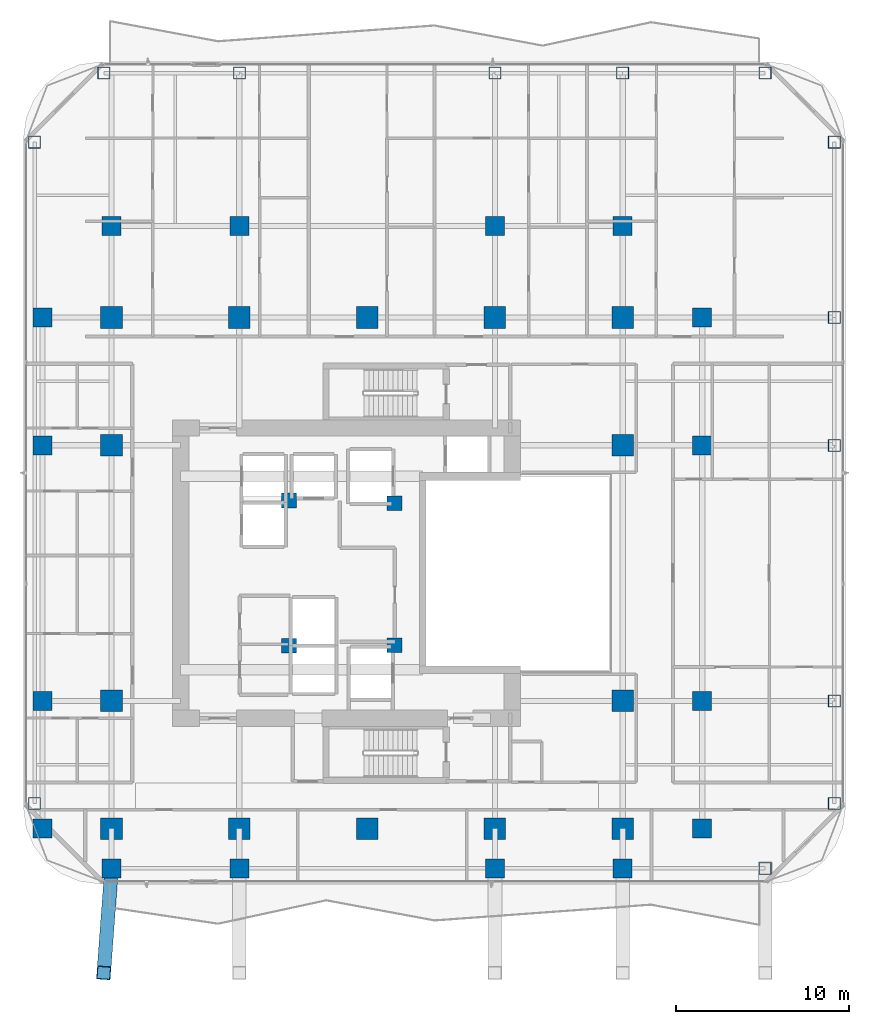
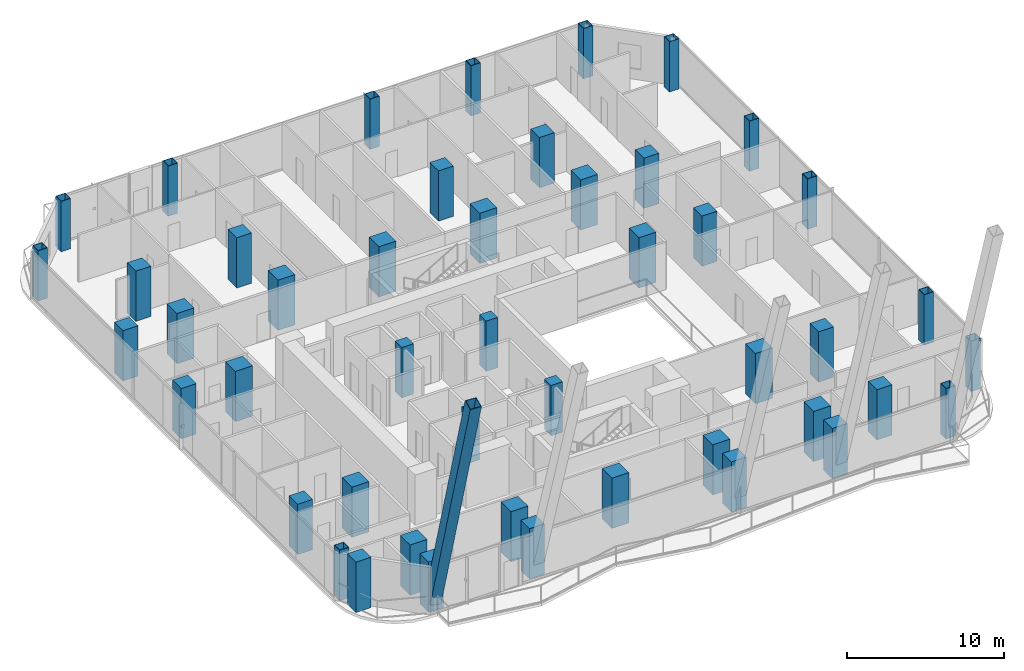
# One storey, part 1 of 30: 47 columns, 1 member.
"""IFC4 building model written with IfcOpenShell, lengths in metres."""

from ifc_helpers import new_model, si_unit, direction, frame, origin, origin_2d, place, context, subcontext, project, spatial, rectangle, hollow_rectangle, extrude, material, material_profile, profile_set, type_object, element, save


model = new_model("IFC4")

# Units and contexts
model_context = context("Model", 3, precision=1e-05, world=origin(), true_north=direction((0.0, 1.0)))
body_context = subcontext(model_context, "Body", "Model", "MODEL_VIEW")
ifc_project = project(units=[si_unit("LENGTHUNIT", "METRE"), si_unit("AREAUNIT", "SQUARE_METRE"), si_unit("VOLUMEUNIT", "CUBIC_METRE"), si_unit("PLANEANGLEUNIT", "RADIAN"), si_unit("MASSUNIT", "GRAM", prefix="KILO")], contexts=[model_context])

# Site, building, storey
site_placement = place(None, origin())
site = spatial("IfcSite", under=ifc_project, at=site_placement, CompositionType="ELEMENT")
building_placement = place(site_placement, origin())
building = spatial("IfcBuilding", under=site, at=building_placement, Name="Khorvyn Point Tower", CompositionType="ELEMENT")
storey_placement = place(building_placement, frame((0.0, 0.0, 117.300048828125)))
storey = spatial("IfcBuildingStorey", under=building, at=storey_placement, Name="L29", CompositionType="ELEMENT", Elevation=117.300048828125)

# Columns
ifc_material_1 = material(Name="Concrete C40/50", Category="concrete")
ifc_material_profile_1 = material_profile(ifc_material_1, rectangle(XDim=0.85009765625, YDim=0.85009765625, at=origin_2d()))
ifc_profile_set_1 = profile_set([ifc_material_profile_1], Name="Concrete C40/50 RC850x850")
column_type_1 = type_object("IfcColumnType", Name="Concrete C40/50 Column RC850x850", PredefinedType="COLUMN", material=ifc_profile_set_1)
for number, where, z_axis, x_axis, name in (
    (1, (-4.52001953125, -4.199951171875, 0.0), (0.0, 0.0, 1.0), (1.0, 0.0, 0.0), "L29 Crown Core Spine Column 1"),
    (2, (1.580078125, -4.179931640625, 0.0), (0.0, 0.0, 1.0), (1.0, 0.0, 0.0), "L29 Crown Core Spine Column 2"),
    (3, (1.580078125, 4.050048828125, 0.0), (0.0, 0.0, 1.0), (1.0, 0.0, 0.0), "L29 Crown Core Spine Column 3"),
    (4, (-4.52001953125, 4.199951171875, 0.0), (0.0, 0.0, 1.0), (1.0, 0.0, 0.0), "L29 Crown Core Spine Column 4"),
):
    element("IfcColumn", number, at=place(storey_placement, frame(where, z_axis=z_axis, x_axis=x_axis)), inside=storey, type_object=column_type_1, Name=name, PredefinedType="COLUMN", context=body_context, shape_type="SweptSolid", body=[
        extrude(rectangle(XDim=0.85009765625, YDim=0.85009765625, at=origin_2d()), origin(), (0.0, 0.0, 1.0), 3.89990234375),
    ])
ifc_material_2 = material(Name="Concrete C45/55", Category="concrete")
ifc_material_profile_2 = material_profile(ifc_material_2, rectangle(XDim=1.10009765625, YDim=1.10009765625, at=origin_2d()))
ifc_profile_set_2 = profile_set([ifc_material_profile_2], Name="Concrete C45/55 RC1100x1100")
column_type_2 = type_object("IfcColumnType", Name="Concrete C45/55 Column RC1100x1100", PredefinedType="COLUMN", material=ifc_profile_set_2)
for number, where, z_axis, x_axis, name in (
    (5, (-18.800048828125, -14.800048828125, 0.0), (0.0, 0.0, 1.0), (1.0, 0.0, 0.0), "L29 Intermediate Column ICW--14"),
    (6, (-18.800048828125, -7.39990234375, 0.0), (0.0, 0.0, 1.0), (1.0, 0.0, 0.0), "L29 Intermediate Column ICW--7"),
    (7, (-18.800048828125, 7.39990234375, 0.0), (0.0, 0.0, 1.0), (1.0, 0.0, 0.0), "L29 Intermediate Column ICW-7"),
    (8, (-18.800048828125, 14.800048828125, 0.0), (0.0, 0.0, 1.0), (1.0, 0.0, 0.0), "L29 Intermediate Column ICW-14"),
    (9, (19.39990234375, -14.800048828125, 0.0), (0.0, 0.0, 1.0), (1.0, 0.0, 0.0), "L29 Intermediate Column ICE--14"),
    (10, (19.39990234375, -7.39990234375, 0.0), (0.0, 0.0, 1.0), (1.0, 0.0, 0.0), "L29 Intermediate Column ICE--7"),
    (11, (19.39990234375, 7.39990234375, 0.0), (0.0, 0.0, 1.0), (1.0, 0.0, 0.0), "L29 Intermediate Column ICE-7"),
    (12, (19.39990234375, 14.800048828125, 0.0), (0.0, 0.0, 1.0), (1.0, 0.0, 0.0), "L29 Intermediate Column ICE-14"),
    (13, (-14.800048828125, -17.10009765625, 0.0), (0.0, 0.0, 1.0), (1.0, 0.0, 0.0), "L29 Intermediate Column ICS--14"),
    (14, (-7.39990234375, -17.10009765625, 0.0), (0.0, 0.0, 1.0), (1.0, 0.0, 0.0), "L29 Intermediate Column ICS--7"),
    (15, (7.39990234375, -17.10009765625, 0.0), (0.0, 0.0, 1.0), (1.0, 0.0, 0.0), "L29 Intermediate Column ICS-7"),
    (16, (14.800048828125, -17.10009765625, 0.0), (0.0, 0.0, 1.0), (1.0, 0.0, 0.0), "L29 Intermediate Column ICS-14"),
    (17, (-14.800048828125, 20.10009765625, 0.0), (0.0, 0.0, 1.0), (1.0, 0.0, 0.0), "L29 Intermediate Column ICN--14"),
    (18, (-7.39990234375, 20.10009765625, 0.0), (0.0, 0.0, 1.0), (1.0, 0.0, 0.0), "L29 Intermediate Column ICN--7"),
    (19, (7.39990234375, 20.10009765625, 0.0), (0.0, 0.0, 1.0), (1.0, 0.0, 0.0), "L29 Intermediate Column ICN-7"),
    (20, (14.800048828125, 20.10009765625, 0.0), (0.0, 0.0, 1.0), (1.0, 0.0, 0.0), "L29 Intermediate Column ICN-14"),
):
    element("IfcColumn", number, at=place(storey_placement, frame(where, z_axis=z_axis, x_axis=x_axis)), inside=storey, type_object=column_type_2, Name=name, PredefinedType="COLUMN", context=body_context, shape_type="SweptSolid", body=[
        extrude(rectangle(XDim=1.10009765625, YDim=1.10009765625, at=origin_2d()), origin(), (0.0, 0.0, 1.0), 3.89990234375),
    ])
ifc_material_3 = material(Name="Concrete C50/60", Category="concrete")
ifc_material_profile_3 = material_profile(ifc_material_3, rectangle(XDim=1.25, YDim=1.25, at=origin_2d()))
ifc_profile_set_3 = profile_set([ifc_material_profile_3], Name="Concrete C50/60 RC1250x1250")
column_type_3 = type_object("IfcColumnType", Name="Concrete C50/60 Column RC1250x1250", PredefinedType="COLUMN", material=ifc_profile_set_3)
for number, where, z_axis, x_axis, name in (
    (21, (-14.800048828125, -14.800048828125, 0.0), (0.0, 0.0, 1.0), (1.0, 0.0, 0.0), "L29 Mega-Column MC-01"),
    (22, (-7.39990234375, -14.800048828125, 0.0), (0.0, 0.0, 1.0), (1.0, 0.0, 0.0), "L29 Mega-Column MC-02"),
    (23, (0.0, -14.800048828125, 0.0), (0.0, 0.0, 1.0), (1.0, 0.0, 0.0), "L29 Mega-Column MC-03"),
    (24, (7.39990234375, -14.800048828125, 0.0), (0.0, 0.0, 1.0), (1.0, 0.0, 0.0), "L29 Mega-Column MC-04"),
    (25, (14.800048828125, -14.800048828125, 0.0), (0.0, 0.0, 1.0), (1.0, 0.0, 0.0), "L29 Mega-Column MC-05"),
    (26, (-14.800048828125, 14.800048828125, 0.0), (0.0, 0.0, 1.0), (1.0, 0.0, 0.0), "L29 Mega-Column MC-06"),
    (27, (-7.39990234375, 14.800048828125, 0.0), (0.0, 0.0, 1.0), (1.0, 0.0, 0.0), "L29 Mega-Column MC-07"),
    (28, (0.0, 14.800048828125, 0.0), (0.0, 0.0, 1.0), (1.0, 0.0, 0.0), "L29 Mega-Column MC-08"),
    (29, (7.39990234375, 14.800048828125, 0.0), (0.0, 0.0, 1.0), (1.0, 0.0, 0.0), "L29 Mega-Column MC-09"),
    (30, (14.800048828125, 14.800048828125, 0.0), (0.0, 0.0, 1.0), (1.0, 0.0, 0.0), "L29 Mega-Column MC-10"),
    (31, (-14.800048828125, -7.39990234375, 0.0), (0.0, 0.0, 1.0), (1.0, 0.0, 0.0), "L29 Mega-Column MC-11"),
    (32, (-14.800048828125, 7.39990234375, 0.0), (0.0, 0.0, 1.0), (1.0, 0.0, 0.0), "L29 Mega-Column MC-12"),
    (33, (14.800048828125, -7.39990234375, 0.0), (0.0, 0.0, 1.0), (1.0, 0.0, 0.0), "L29 Mega-Column MC-13"),
    (34, (14.800048828125, 7.39990234375, 0.0), (0.0, 0.0, 1.0), (1.0, 0.0, 0.0), "L29 Mega-Column MC-14"),
):
    element("IfcColumn", number, at=place(storey_placement, frame(where, z_axis=z_axis, x_axis=x_axis)), inside=storey, type_object=column_type_3, Name=name, PredefinedType="COLUMN", context=body_context, shape_type="SweptSolid", body=[
        extrude(rectangle(XDim=1.25, YDim=1.25, at=origin_2d()), origin(), (0.0, 0.0, 1.0), 3.89990234375),
    ])
ifc_material_4 = material(Name="Steel S450", Category="steel")
ifc_material_profile_4 = material_profile(ifc_material_4, hollow_rectangle(XDim=0.699951171875, YDim=0.699951171875, WallThickness=0.031982421875, at=origin_2d()))
ifc_profile_set_4 = profile_set([ifc_material_profile_4], Name="Steel S450 BOX700x700x32")
column_type_4 = type_object("IfcColumnType", Name="Steel S450 Structural Column BOX700x700x32", PredefinedType="COLUMN", material=ifc_profile_set_4)
for number, where, z_axis, x_axis, name in (
    (35, (23.050048828125, -17.10009765625, 0.0), (0.0, 0.0, 1.0), (1.0, 0.0, 0.0), "L29 Perimeter Tube Column TC-01"),
    (36, (-15.25, 28.949951171875, 0.0), (0.0, 0.0, 1.0), (1.0, 0.0, 0.0), "L29 Perimeter Tube Column TC-02"),
    (37, (23.050048828125, 28.949951171875, 0.0), (0.0, 0.0, 1.0), (1.0, 0.0, 0.0), "L29 Perimeter Tube Column TC-03"),
    (38, (-19.25, -13.35009765625, 0.0), (0.0, 0.0, 1.0), (1.0, 0.0, 0.0), "L29 Perimeter Tube Column TC-04"),
    (39, (-19.25, 24.949951171875, 0.0), (0.0, 0.0, 1.0), (1.0, 0.0, 0.0), "L29 Perimeter Tube Column TC-05"),
    (40, (27.050048828125, -13.35009765625, 0.0), (0.0, 0.0, 1.0), (1.0, 0.0, 0.0), "L29 Perimeter Tube Column TC-06"),
    (41, (27.050048828125, 24.949951171875, 0.0), (0.0, 0.0, 1.0), (1.0, 0.0, 0.0), "L29 Perimeter Tube Column TC-07"),
    (42, (-7.39990234375, 28.949951171875, 0.0), (0.0, 0.0, 1.0), (1.0, 0.0, 0.0), "L29 Perimeter Tube Column TC-08"),
    (43, (7.39990234375, 28.949951171875, 0.0), (0.0, 0.0, 1.0), (1.0, 0.0, 0.0), "L29 Perimeter Tube Column TC-09"),
    (44, (14.800048828125, 28.949951171875, 0.0), (0.0, 0.0, 1.0), (1.0, 0.0, 0.0), "L29 Perimeter Tube Column TC-10"),
    (45, (27.050048828125, -7.39990234375, 0.0), (0.0, 0.0, 1.0), (1.0, 0.0, 0.0), "L29 Perimeter Tube Column TC-11"),
    (46, (27.050048828125, 7.39990234375, 0.0), (0.0, 0.0, 1.0), (1.0, 0.0, 0.0), "L29 Perimeter Tube Column TC-12"),
    (47, (27.050048828125, 14.800048828125, 0.0), (0.0, 0.0, 1.0), (1.0, 0.0, 0.0), "L29 Perimeter Tube Column TC-13"),
):
    element("IfcColumn", number, at=place(storey_placement, frame(where, z_axis=z_axis, x_axis=x_axis)), inside=storey, type_object=column_type_4, Name=name, PredefinedType="COLUMN", context=body_context, shape_type="SweptSolid", body=[
        extrude(hollow_rectangle(XDim=0.699951171875, YDim=0.699951171875, WallThickness=0.031982421875, at=origin_2d()), origin(), (0.0, 0.0, 1.0), 3.89990234375),
    ])

# Member
ifc_material_profile_5 = material_profile(ifc_material_4, hollow_rectangle(XDim=0.800048828125, YDim=0.800048828125, WallThickness=0.035888671875, at=origin_2d()))
ifc_profile_set_5 = profile_set([ifc_material_profile_5], Name="Steel S450 BOX800x800x36")
member_type = type_object("IfcMemberType", Name="Steel S450 Exoskeleton Structural Post BOX800x800x36", PredefinedType="POST", material=ifc_profile_set_5)
member_placement = place(storey_placement, frame((-14.800048828125, -17.10009765625, 0.0), z_axis=(-0.02203281432, -0.296241529488, 0.954858896015), x_axis=(0.997245638899, -0.074169641343, 0.0)))
element("IfcMember", 48, at=member_placement, inside=storey, type_object=member_type, Name="L29 to L34 Exoskeleton Transfer Post 01", PredefinedType="POST", context=body_context, shape_type="SweptSolid", body=[
    extrude(hollow_rectangle(XDim=0.800048828125, YDim=0.800048828125, WallThickness=0.035888671875, at=origin_2d()), origin(), (0.0, 0.0, 1.0), 20.421875),
])

save(model, "model.ifc")
